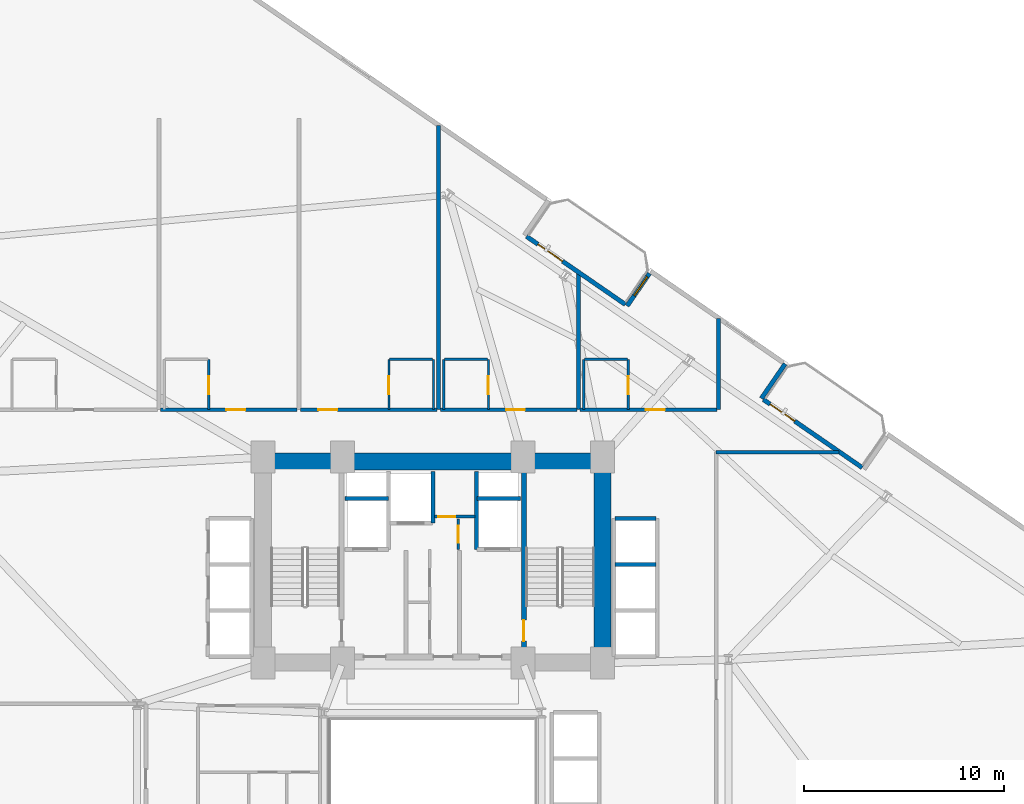
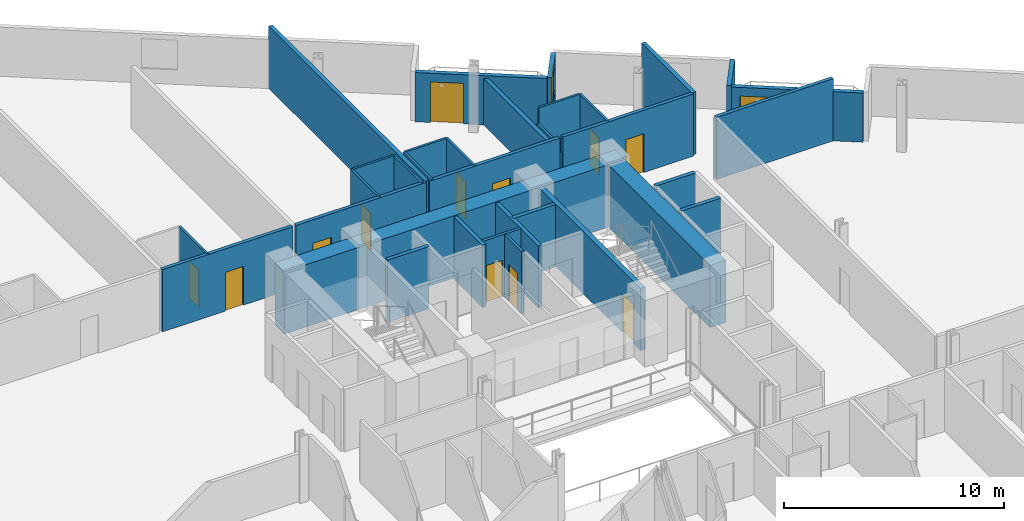
# One storey, part 22 of 27: 33 walls, 13 doors, 1 window, 14 openings.
"""IFC4 building model written with IfcOpenShell, lengths in metres."""

from ifc_helpers import new_model, si_unit, direction, frame, frame_2d, origin, place, context, subcontext, project, spatial, rectangle, extrude, material, layer, layer_set, type_object, element, fill, save


model = new_model("IFC4")

# Units and contexts
model_context = context("Model", 3, precision=1e-05, world=origin(), true_north=direction((0.0, 1.0)))
body_context = subcontext(model_context, "Body", "Model", "MODEL_VIEW")
ifc_project = project(units=[si_unit("LENGTHUNIT", "METRE"), si_unit("AREAUNIT", "SQUARE_METRE"), si_unit("VOLUMEUNIT", "CUBIC_METRE"), si_unit("PLANEANGLEUNIT", "RADIAN"), si_unit("MASSUNIT", "GRAM", prefix="KILO")], contexts=[model_context])

# Site, building, storey
site_placement = place(None, origin())
site = spatial("IfcSite", under=ifc_project, at=site_placement, CompositionType="ELEMENT")
building_placement = place(site_placement, origin())
building = spatial("IfcBuilding", under=site, at=building_placement, Name="Varnelok Gate Tower", CompositionType="ELEMENT")
storey_placement = place(building_placement, frame((0.0, 0.0, 30.699951171875)))
storey = spatial("IfcBuildingStorey", under=building, at=storey_placement, Name="L06", CompositionType="ELEMENT", Elevation=30.699951171875)

# Wall, opening, door
ifc_material_1 = material(Name="Concrete C45/55", Category="concrete")
ifc_layer_1 = layer(ifc_material_1, 0.219970703125)
ifc_layer_set_1 = layer_set([ifc_layer_1], Name="Concrete C45/55")
wall_type_1 = type_object("IfcWallType", Name="EW-BALC-220", PredefinedType="SOLIDWALL", material=ifc_layer_set_1)
wall_1_placement = place(storey_placement, frame((43.898193359375, 50.1015625, 0.0), z_axis=(0.0, 0.0, 1.0), x_axis=(0.823534636215, -0.567265989598, 0.0)))
wall_1 = element("IfcWall", 1, at=wall_1_placement, inside=storey, type_object=wall_type_1, Name="L06 North Terrace Envelope Wall 3", PredefinedType="SOLIDWALL", context=body_context, shape_type="SweptSolid", body=[
    extrude(rectangle(XDim=6.0, YDim=0.219970703125, at=frame_2d((3.0, 0.0))), origin(), (0.0, 0.0, 1.0), 2.72998046875),
])
opening_1_placement = place(wall_1_placement, frame((0.696044921875, 0.0, 0.0)))
opening_1 = element("IfcOpeningElement", 2, at=opening_1_placement, cuts=wall_1, Name="Opening BD-1", PredefinedType="OPENING", context=body_context, shape_type="SweptSolid", body=[
    extrude(rectangle(XDim=1.5, YDim=2.25, at=frame_2d((0.75, 1.125))), frame((0.0, 0.119873046875, 0.0), z_axis=(0.0, -1.0, 0.0), x_axis=(1.0, 0.0, 0.0)), (0.0, 0.0, 1.0), 0.239990234375),
])
ifc_material_2 = material(Name="Anodized Aluminum Alloy 6063-T6", Category="aluminium")
door_type_1 = type_object("IfcDoorType", Name="DR-EXT-BALC1500", OperationType="NOTDEFINED", PredefinedType="DOOR", material=ifc_material_2)
door_1_placement = place(opening_1_placement, origin())
door_1 = element("IfcDoor", 3, at=door_1_placement, inside=storey, type_object=door_type_1, Name="L06 North Balcony Glazed Door 3", OperationType="SINGLE_SWING_RIGHT", OverallHeight=2.25, OverallWidth=1.5, PredefinedType="DOOR", context=body_context, shape_type="SweptSolid", body=[
    extrude(rectangle(XDim=1.5, YDim=2.25, at=frame_2d((0.75, 1.125))), frame((0.0, 0.02490234375, 0.0), z_axis=(0.0, -1.0, 0.0), x_axis=(1.0, 0.0, 0.0)), (0.0, 0.0, 1.0), 0.050048828125),
])
fill(opening_1, door_1)

wall_2_placement = place(storey_placement, frame((55.757080078125, 41.932861328125, 0.0), z_axis=(0.0, 0.0, 1.0), x_axis=(0.823534636215, -0.567265989598, 0.0)))
wall_2 = element("IfcWall", 4, at=wall_2_placement, inside=storey, type_object=wall_type_1, Name="L06 North Terrace Envelope Wall 4", PredefinedType="SOLIDWALL", context=body_context, shape_type="SweptSolid", body=[
    extrude(rectangle(XDim=6.0, YDim=0.219970703125, at=frame_2d((3.0, 0.0))), origin(), (0.0, 0.0, 1.0), 2.72998046875),
])
opening_2_placement = place(wall_2_placement, frame((0.39990234375, 0.0, 0.0)))
opening_2 = element("IfcOpeningElement", 5, at=opening_2_placement, cuts=wall_2, Name="Opening BD-1", PredefinedType="OPENING", context=body_context, shape_type="SweptSolid", body=[
    extrude(rectangle(XDim=1.5, YDim=2.25, at=frame_2d((0.75, 1.125))), frame((0.0, 0.119873046875, 0.0), z_axis=(0.0, -1.0, 0.0), x_axis=(1.0, 0.0, 0.0)), (0.0, 0.0, 1.0), 0.239990234375),
])
door_2_placement = place(opening_2_placement, origin())
door_2 = element("IfcDoor", 6, at=door_2_placement, inside=storey, type_object=door_type_1, Name="L06 North Balcony Glazed Door 4", OperationType="SINGLE_SWING_LEFT", OverallHeight=2.25, OverallWidth=1.5, PredefinedType="DOOR", context=body_context, shape_type="SweptSolid", body=[
    extrude(rectangle(XDim=1.5, YDim=2.25, at=frame_2d((0.75, 1.125))), frame((0.0, 0.02490234375, 0.0), z_axis=(0.0, -1.0, 0.0), x_axis=(1.0, 0.0, 0.0)), (0.0, 0.0, 1.0), 0.050048828125),
])
fill(opening_2, door_2)

# Wall
wall_3_placement = place(storey_placement, frame((55.652587890625, 41.99267578125, 0.0), z_axis=(0.0, 0.0, 1.0), x_axis=(0.567273696173, 0.823529327729, 0.0)))
element("IfcWall", 7, at=wall_3_placement, inside=storey, type_object=wall_type_1, Name="L06 Perimeter Facade Closure Wall 28", PredefinedType="SOLIDWALL", context=body_context, shape_type="SweptSolid", body=[
    extrude(rectangle(XDim=2.099853515625, YDim=0.219970703125, at=frame_2d((1.0498046875, 0.0))), origin(), (0.0, 0.0, 1.0), 2.72998046875),
])

# Wall, opening, window
wall_4_placement = place(storey_placement, frame((50.052978515625, 48.248046875, 0.0), z_axis=(0.0, 0.0, 1.0), x_axis=(-0.567273565974, -0.823529417415, 0.0)))
wall_4 = element("IfcWall", 8, at=wall_4_placement, inside=storey, type_object=wall_type_1, Name="L06 Perimeter Facade Closure Wall 30", PredefinedType="SOLIDWALL", context=body_context, shape_type="SweptSolid", body=[
    extrude(rectangle(XDim=1.97509765625, YDim=0.219970703125, at=frame_2d((0.987548828125, 0.0))), origin(), (0.0, 0.0, 1.0), 2.72998046875),
])
opening_3_placement = place(wall_4_placement, frame((0.199951171875, 0.0, 0.800048828125)))
opening_3 = element("IfcOpeningElement", 9, at=opening_3_placement, cuts=wall_4, Name="Opening WN8", PredefinedType="OPENING", context=body_context, shape_type="SweptSolid", body=[
    extrude(rectangle(XDim=1.14990234375, YDim=1.39990234375, at=frame_2d((0.574951171875, 0.699951171875))), frame((0.0, 0.119873046875, 0.0), z_axis=(0.0, -1.0, 0.0), x_axis=(1.0, 0.0, 0.0)), (0.0, 0.0, 1.0), 0.239990234375),
])
ifc_material_3 = material(Name="Low-E Laminated Double Glazing IGU", Category="glass")
window_type = type_object("IfcWindowType", Name="WN-BED-1150", PartitioningType="SINGLE_PANEL", PredefinedType="WINDOW", material=ifc_material_3)
window_placement = place(opening_3_placement, origin())
window = element("IfcWindow", 10, at=window_placement, inside=storey, type_object=window_type, Name="L06 Bedroom Vision Window 4", OverallHeight=1.39990234375, OverallWidth=1.14990234375, PartitioningType="SINGLE_PANEL", PredefinedType="WINDOW", context=body_context, shape_type="SweptSolid", body=[
    extrude(rectangle(XDim=1.14990234375, YDim=1.39990234375, at=frame_2d((0.574951171875, 0.699951171875))), frame((0.0, 0.030029296875, 0.0), z_axis=(0.0, -1.0, 0.0), x_axis=(1.0, 0.0, 0.0)), (0.0, 0.0, 1.0), 0.06005859375),
])
fill(opening_3, window)

# Wall, opening, door
ifc_material_4 = material(Name="Gypsum Plasterboard Acoustic Partition", Category="gypsum")
ifc_layer_2 = layer(ifc_material_4, 0.179931640625)
ifc_layer_set_2 = layer_set([ifc_layer_2], Name="Gypsum Plasterboard Acoustic Partition")
wall_type_2 = type_object("IfcWallType", Name="PW-CORR-180", PredefinedType="PARTITIONING", material=ifc_layer_set_2)
wall_5_placement = place(storey_placement, frame((25.580078125, 41.429931640625, 0.0), z_axis=(0.0, 0.0, 1.0), x_axis=(1.0, 0.0, 0.0)))
wall_5 = element("IfcWall", 11, at=wall_5_placement, inside=storey, type_object=wall_type_2, Name="Interior Partition", PredefinedType="PARTITIONING", context=body_context, shape_type="SweptSolid", body=[
    extrude(rectangle(XDim=6.83984375, YDim=0.179931640625, at=frame_2d((3.419921875, 0.0))), origin(), (0.0, 0.0, 1.0), 3.449951171875),
])
opening_4_placement = place(wall_5_placement, frame((3.2900390625, 0.0, 0.0)))
opening_4 = element("IfcOpeningElement", 12, at=opening_4_placement, cuts=wall_5, Name="Opening D-HT", PredefinedType="OPENING", context=body_context, shape_type="SweptSolid", body=[
    extrude(rectangle(XDim=0.949951171875, YDim=2.14990234375, at=frame_2d((0.47509765625, 1.074951171875))), frame((0.0, 0.099853515625, 0.0), z_axis=(0.0, -1.0, 0.0), x_axis=(1.0, 0.0, 0.0)), (0.0, 0.0, 1.0), 0.199951171875),
])
ifc_material_5 = material(Name="Engineered Hardwood Timber", Category="wood")
door_type_2 = type_object("IfcDoorType", Name="DR-HTL-950", OperationType="NOTDEFINED", PredefinedType="DOOR", material=ifc_material_5)
door_3_placement = place(opening_4_placement, origin())
door_3 = element("IfcDoor", 13, at=door_3_placement, inside=storey, type_object=door_type_2, Name="L06 Guest Room 14 Entrance Door", OperationType="SINGLE_SWING_LEFT", OverallHeight=2.14990234375, OverallWidth=0.949951171875, PredefinedType="DOOR", context=body_context, shape_type="SweptSolid", body=[
    extrude(rectangle(XDim=0.949951171875, YDim=2.14990234375, at=frame_2d((0.47509765625, 1.074951171875))), frame((0.0, 0.02490234375, 0.0), z_axis=(0.0, -1.0, 0.0), x_axis=(1.0, 0.0, 0.0)), (0.0, 0.0, 1.0), 0.050048828125),
])
fill(opening_4, door_3)

wall_6_placement = place(storey_placement, frame((32.580078125, 41.429931640625, 0.0), z_axis=(0.0, 0.0, 1.0), x_axis=(1.0, 0.0, 0.0)))
wall_6 = element("IfcWall", 14, at=wall_6_placement, inside=storey, type_object=wall_type_2, Name="Interior Partition", PredefinedType="PARTITIONING", context=body_context, shape_type="SweptSolid", body=[
    extrude(rectangle(XDim=6.83984375, YDim=0.179931640625, at=frame_2d((3.419921875, 0.0))), origin(), (0.0, 0.0, 1.0), 3.449951171875),
])
opening_5_placement = place(wall_6_placement, frame((0.89990234375, 0.0, 0.0)))
opening_5 = element("IfcOpeningElement", 15, at=opening_5_placement, cuts=wall_6, Name="Opening D-HT", PredefinedType="OPENING", context=body_context, shape_type="SweptSolid", body=[
    extrude(rectangle(XDim=0.949951171875, YDim=2.14990234375, at=frame_2d((0.47509765625, 1.074951171875))), frame((0.0, 0.099853515625, 0.0), z_axis=(0.0, -1.0, 0.0), x_axis=(1.0, 0.0, 0.0)), (0.0, 0.0, 1.0), 0.199951171875),
])
door_4_placement = place(opening_5_placement, origin())
door_4 = element("IfcDoor", 16, at=door_4_placement, inside=storey, type_object=door_type_2, Name="L06 Guest Room 15 Entrance Door", OperationType="SINGLE_SWING_RIGHT", OverallHeight=2.14990234375, OverallWidth=0.949951171875, PredefinedType="DOOR", context=body_context, shape_type="SweptSolid", body=[
    extrude(rectangle(XDim=0.949951171875, YDim=2.14990234375, at=frame_2d((0.47509765625, 1.074951171875))), frame((0.0, 0.02490234375, 0.0), z_axis=(0.0, -1.0, 0.0), x_axis=(1.0, 0.0, 0.0)), (0.0, 0.0, 1.0), 0.050048828125),
])
fill(opening_5, door_4)

wall_7_placement = place(storey_placement, frame((39.580078125, 41.429931640625, 0.0), z_axis=(0.0, 0.0, 1.0), x_axis=(1.0, 0.0, 0.0)))
wall_7 = element("IfcWall", 17, at=wall_7_placement, inside=storey, type_object=wall_type_2, Name="Interior Partition", PredefinedType="PARTITIONING", context=body_context, shape_type="SweptSolid", body=[
    extrude(rectangle(XDim=6.83984375, YDim=0.179931640625, at=frame_2d((3.419921875, 0.0))), origin(), (0.0, 0.0, 1.0), 3.449951171875),
])
opening_6_placement = place(wall_7_placement, frame((3.2900390625, 0.0, 0.0)))
opening_6 = element("IfcOpeningElement", 18, at=opening_6_placement, cuts=wall_7, Name="Opening D-HT", PredefinedType="OPENING", context=body_context, shape_type="SweptSolid", body=[
    extrude(rectangle(XDim=0.949951171875, YDim=2.14990234375, at=frame_2d((0.47509765625, 1.074951171875))), frame((0.0, 0.099853515625, 0.0), z_axis=(0.0, -1.0, 0.0), x_axis=(1.0, 0.0, 0.0)), (0.0, 0.0, 1.0), 0.199951171875),
])
door_5_placement = place(opening_6_placement, origin())
door_5 = element("IfcDoor", 19, at=door_5_placement, inside=storey, type_object=door_type_2, Name="L06 Guest Room 16 Entrance Door", OperationType="SINGLE_SWING_LEFT", OverallHeight=2.14990234375, OverallWidth=0.949951171875, PredefinedType="DOOR", context=body_context, shape_type="SweptSolid", body=[
    extrude(rectangle(XDim=0.949951171875, YDim=2.14990234375, at=frame_2d((0.47509765625, 1.074951171875))), frame((0.0, 0.02490234375, 0.0), z_axis=(0.0, -1.0, 0.0), x_axis=(1.0, 0.0, 0.0)), (0.0, 0.0, 1.0), 0.050048828125),
])
fill(opening_6, door_5)

wall_8_placement = place(storey_placement, frame((46.580078125, 41.429931640625, 0.0), z_axis=(0.0, 0.0, 1.0), x_axis=(1.0, 0.0, 0.0)))
wall_8 = element("IfcWall", 20, at=wall_8_placement, inside=storey, type_object=wall_type_2, Name="Interior Partition", PredefinedType="PARTITIONING", context=body_context, shape_type="SweptSolid", body=[
    extrude(rectangle(XDim=6.83984375, YDim=0.179931640625, at=frame_2d((3.419921875, 0.0))), origin(), (0.0, 0.0, 1.0), 3.449951171875),
])
opening_7_placement = place(wall_8_placement, frame((3.2900390625, 0.0, 0.0)))
opening_7 = element("IfcOpeningElement", 21, at=opening_7_placement, cuts=wall_8, Name="Opening D-HT", PredefinedType="OPENING", context=body_context, shape_type="SweptSolid", body=[
    extrude(rectangle(XDim=0.949951171875, YDim=2.14990234375, at=frame_2d((0.47509765625, 1.074951171875))), frame((0.0, 0.099853515625, 0.0), z_axis=(0.0, -1.0, 0.0), x_axis=(1.0, 0.0, 0.0)), (0.0, 0.0, 1.0), 0.199951171875),
])
door_6_placement = place(opening_7_placement, origin())
door_6 = element("IfcDoor", 22, at=door_6_placement, inside=storey, type_object=door_type_2, Name="L06 Guest Room 17 Entrance Door", OperationType="SINGLE_SWING_RIGHT", OverallHeight=2.14990234375, OverallWidth=0.949951171875, PredefinedType="DOOR", context=body_context, shape_type="SweptSolid", body=[
    extrude(rectangle(XDim=0.949951171875, YDim=2.14990234375, at=frame_2d((0.47509765625, 1.074951171875))), frame((0.0, 0.02490234375, 0.0), z_axis=(0.0, -1.0, 0.0), x_axis=(1.0, 0.0, 0.0)), (0.0, 0.0, 1.0), 0.050048828125),
])
fill(opening_7, door_6)

# Wall
wall_9_placement = place(storey_placement, frame((53.389892578125, 39.300048828125, 0.0), z_axis=(0.0, 0.0, 1.0), x_axis=(1.0, 0.0, 0.0)))
element("IfcWall", 23, at=wall_9_placement, inside=storey, type_object=wall_type_2, Name="Interior Partition", PredefinedType="PARTITIONING", context=body_context, shape_type="SweptSolid", body=[
    extrude(rectangle(XDim=6.136474609375, YDim=0.179931640625, at=frame_2d((3.068359375, 0.0))), origin(), (0.0, 0.0, 1.0), 3.449951171875),
])

# Wall, opening, door
ifc_layer_3 = layer(ifc_material_4, 0.114990234375)
ifc_layer_set_3 = layer_set([ifc_layer_3], Name="Gypsum Plasterboard Acoustic Partition")
wall_type_3 = type_object("IfcWallType", Name="PW-ENS-125", PredefinedType="PARTITIONING", material=ifc_layer_set_3)
wall_10_placement = place(storey_placement, frame((27.989990234375, 41.429931640625, 0.0), z_axis=(0.0, 0.0, 1.0), x_axis=(0.0, 1.0, 0.0)))
wall_10 = element("IfcWall", 24, at=wall_10_placement, inside=storey, type_object=wall_type_3, Name="Interior Partition", PredefinedType="PARTITIONING", context=body_context, shape_type="SweptSolid", body=[
    extrude(rectangle(XDim=2.52001953125, YDim=0.114990234375, at=frame_2d((1.260009765625, 0.0))), origin(), (0.0, 0.0, 1.0), 3.449951171875),
])
opening_8_placement = place(wall_10_placement, frame((0.760009765625, 0.0, 0.0)))
opening_8 = element("IfcOpeningElement", 25, at=opening_8_placement, cuts=wall_10, Name="Opening D-WC", PredefinedType="OPENING", context=body_context, shape_type="SweptSolid", body=[
    extrude(rectangle(XDim=0.89990234375, YDim=2.050048828125, at=frame_2d((0.449951171875, 1.02490234375))), frame((0.0, 0.0673828125, 0.0), z_axis=(0.0, -1.0, 0.0), x_axis=(1.0, 0.0, 0.0)), (0.0, 0.0, 1.0), 0.135009765625),
])
door_type_3 = type_object("IfcDoorType", Name="DR-BATH-900", OperationType="NOTDEFINED", PredefinedType="DOOR", material=ifc_material_5)
door_7_placement = place(opening_8_placement, origin())
door_7 = element("IfcDoor", 26, at=door_7_placement, inside=storey, type_object=door_type_3, Name="L06 North En-Suite 14 Door", OperationType="SINGLE_SWING_RIGHT", OverallHeight=2.050048828125, OverallWidth=0.89990234375, PredefinedType="DOOR", context=body_context, shape_type="SweptSolid", body=[
    extrude(rectangle(XDim=0.89990234375, YDim=2.050048828125, at=frame_2d((0.449951171875, 1.02490234375))), frame((0.0, 0.02490234375, 0.0), z_axis=(0.0, -1.0, 0.0), x_axis=(1.0, 0.0, 0.0)), (0.0, 0.0, 1.0), 0.050048828125),
])
fill(opening_8, door_7)

# Wall
wall_11_placement = place(storey_placement, frame((37.050048828125, 43.949951171875, 0.0), z_axis=(0.0, 0.0, 1.0), x_axis=(1.0, 0.0, 0.0)))
element("IfcWall", 27, at=wall_11_placement, inside=storey, type_object=wall_type_3, Name="Interior Partition", PredefinedType="PARTITIONING", context=body_context, shape_type="SweptSolid", body=[
    extrude(rectangle(XDim=2.14990234375, YDim=0.114990234375, at=frame_2d((1.074951171875, 0.0))), origin(), (0.0, 0.0, 1.0), 3.449951171875),
])

# Wall, opening, door
wall_12_placement = place(storey_placement, frame((37.010009765625, 41.429931640625, 0.0), z_axis=(0.0, 0.0, 1.0), x_axis=(0.0, 1.0, 0.0)))
wall_12 = element("IfcWall", 28, at=wall_12_placement, inside=storey, type_object=wall_type_3, Name="Interior Partition", PredefinedType="PARTITIONING", context=body_context, shape_type="SweptSolid", body=[
    extrude(rectangle(XDim=2.52001953125, YDim=0.114990234375, at=frame_2d((1.260009765625, 0.0))), origin(), (0.0, 0.0, 1.0), 3.449951171875),
])
opening_9_placement = place(wall_12_placement, frame((0.760009765625, 0.0, 0.0)))
opening_9 = element("IfcOpeningElement", 29, at=opening_9_placement, cuts=wall_12, Name="Opening D-WC", PredefinedType="OPENING", context=body_context, shape_type="SweptSolid", body=[
    extrude(rectangle(XDim=0.89990234375, YDim=2.050048828125, at=frame_2d((0.449951171875, 1.02490234375))), frame((0.0, 0.0673828125, 0.0), z_axis=(0.0, -1.0, 0.0), x_axis=(1.0, 0.0, 0.0)), (0.0, 0.0, 1.0), 0.135009765625),
])
door_8_placement = place(opening_9_placement, origin())
door_8 = element("IfcDoor", 30, at=door_8_placement, inside=storey, type_object=door_type_3, Name="L06 North En-Suite 15 Door", OperationType="SINGLE_SWING_LEFT", OverallHeight=2.050048828125, OverallWidth=0.89990234375, PredefinedType="DOOR", context=body_context, shape_type="SweptSolid", body=[
    extrude(rectangle(XDim=0.89990234375, YDim=2.050048828125, at=frame_2d((0.449951171875, 1.02490234375))), frame((0.0, 0.02490234375, 0.0), z_axis=(0.0, -1.0, 0.0), x_axis=(1.0, 0.0, 0.0)), (0.0, 0.0, 1.0), 0.050048828125),
])
fill(opening_9, door_8)

# Walls
wall_13_placement = place(storey_placement, frame((39.239990234375, 41.429931640625, 0.0), z_axis=(0.0, 0.0, 1.0), x_axis=(0.0, 1.0, 0.0)))
element("IfcWall", 31, at=wall_13_placement, inside=storey, type_object=wall_type_3, Name="Interior Partition", PredefinedType="PARTITIONING", context=body_context, shape_type="SweptSolid", body=[
    extrude(rectangle(XDim=2.52001953125, YDim=0.114990234375, at=frame_2d((1.260009765625, 0.0))), origin(), (0.0, 0.0, 1.0), 3.449951171875),
])
wall_14_placement = place(storey_placement, frame((39.800048828125, 43.949951171875, 0.0), z_axis=(0.0, 0.0, 1.0), x_axis=(1.0, 0.0, 0.0)))
element("IfcWall", 32, at=wall_14_placement, inside=storey, type_object=wall_type_3, Name="Interior Partition", PredefinedType="PARTITIONING", context=body_context, shape_type="SweptSolid", body=[
    extrude(rectangle(XDim=2.14990234375, YDim=0.114990234375, at=frame_2d((1.074951171875, 0.0))), origin(), (0.0, 0.0, 1.0), 3.449951171875),
])

# Wall, opening, door
wall_15_placement = place(storey_placement, frame((41.989990234375, 41.429931640625, 0.0), z_axis=(0.0, 0.0, 1.0), x_axis=(0.0, 1.0, 0.0)))
wall_15 = element("IfcWall", 33, at=wall_15_placement, inside=storey, type_object=wall_type_3, Name="Interior Partition", PredefinedType="PARTITIONING", context=body_context, shape_type="SweptSolid", body=[
    extrude(rectangle(XDim=2.52001953125, YDim=0.114990234375, at=frame_2d((1.260009765625, 0.0))), origin(), (0.0, 0.0, 1.0), 3.449951171875),
])
opening_10_placement = place(wall_15_placement, frame((0.760009765625, 0.0, 0.0)))
opening_10 = element("IfcOpeningElement", 34, at=opening_10_placement, cuts=wall_15, Name="Opening D-WC", PredefinedType="OPENING", context=body_context, shape_type="SweptSolid", body=[
    extrude(rectangle(XDim=0.89990234375, YDim=2.050048828125, at=frame_2d((0.449951171875, 1.02490234375))), frame((0.0, 0.0673828125, 0.0), z_axis=(0.0, -1.0, 0.0), x_axis=(1.0, 0.0, 0.0)), (0.0, 0.0, 1.0), 0.135009765625),
])
door_9_placement = place(opening_10_placement, origin())
door_9 = element("IfcDoor", 35, at=door_9_placement, inside=storey, type_object=door_type_3, Name="L06 North En-Suite 16 Door", OperationType="SINGLE_SWING_RIGHT", OverallHeight=2.050048828125, OverallWidth=0.89990234375, PredefinedType="DOOR", context=body_context, shape_type="SweptSolid", body=[
    extrude(rectangle(XDim=0.89990234375, YDim=2.050048828125, at=frame_2d((0.449951171875, 1.02490234375))), frame((0.0, 0.02490234375, 0.0), z_axis=(0.0, -1.0, 0.0), x_axis=(1.0, 0.0, 0.0)), (0.0, 0.0, 1.0), 0.050048828125),
])
fill(opening_10, door_9)

# Walls
wall_16_placement = place(storey_placement, frame((39.760009765625, 41.429931640625, 0.0), z_axis=(0.0, 0.0, 1.0), x_axis=(0.0, 1.0, 0.0)))
element("IfcWall", 36, at=wall_16_placement, inside=storey, type_object=wall_type_3, Name="Interior Partition", PredefinedType="PARTITIONING", context=body_context, shape_type="SweptSolid", body=[
    extrude(rectangle(XDim=2.52001953125, YDim=0.114990234375, at=frame_2d((1.260009765625, 0.0))), origin(), (0.0, 0.0, 1.0), 3.449951171875),
])
wall_17_placement = place(storey_placement, frame((46.800048828125, 43.949951171875, 0.0), z_axis=(0.0, 0.0, 1.0), x_axis=(1.0, 0.0, 0.0)))
element("IfcWall", 37, at=wall_17_placement, inside=storey, type_object=wall_type_3, Name="Interior Partition", PredefinedType="PARTITIONING", context=body_context, shape_type="SweptSolid", body=[
    extrude(rectangle(XDim=2.14990234375, YDim=0.114990234375, at=frame_2d((1.074951171875, 0.0))), origin(), (0.0, 0.0, 1.0), 3.449951171875),
])

# Wall, opening, door
wall_18_placement = place(storey_placement, frame((48.989990234375, 41.429931640625, 0.0), z_axis=(0.0, 0.0, 1.0), x_axis=(0.0, 1.0, 0.0)))
wall_18 = element("IfcWall", 38, at=wall_18_placement, inside=storey, type_object=wall_type_3, Name="Interior Partition", PredefinedType="PARTITIONING", context=body_context, shape_type="SweptSolid", body=[
    extrude(rectangle(XDim=2.52001953125, YDim=0.114990234375, at=frame_2d((1.260009765625, 0.0))), origin(), (0.0, 0.0, 1.0), 3.449951171875),
])
opening_11_placement = place(wall_18_placement, frame((0.760009765625, 0.0, 0.0)))
opening_11 = element("IfcOpeningElement", 39, at=opening_11_placement, cuts=wall_18, Name="Opening D-WC", PredefinedType="OPENING", context=body_context, shape_type="SweptSolid", body=[
    extrude(rectangle(XDim=0.89990234375, YDim=2.050048828125, at=frame_2d((0.449951171875, 1.02490234375))), frame((0.0, 0.0673828125, 0.0), z_axis=(0.0, -1.0, 0.0), x_axis=(1.0, 0.0, 0.0)), (0.0, 0.0, 1.0), 0.135009765625),
])
door_10_placement = place(opening_11_placement, origin())
door_10 = element("IfcDoor", 40, at=door_10_placement, inside=storey, type_object=door_type_3, Name="L06 North En-Suite 17 Door", OperationType="SINGLE_SWING_RIGHT", OverallHeight=2.050048828125, OverallWidth=0.89990234375, PredefinedType="DOOR", context=body_context, shape_type="SweptSolid", body=[
    extrude(rectangle(XDim=0.89990234375, YDim=2.050048828125, at=frame_2d((0.449951171875, 1.02490234375))), frame((0.0, 0.02490234375, 0.0), z_axis=(0.0, -1.0, 0.0), x_axis=(1.0, 0.0, 0.0)), (0.0, 0.0, 1.0), 0.050048828125),
])
fill(opening_11, door_10)

# Wall
wall_19_placement = place(storey_placement, frame((46.760009765625, 41.429931640625, 0.0), z_axis=(0.0, 0.0, 1.0), x_axis=(0.0, 1.0, 0.0)))
element("IfcWall", 41, at=wall_19_placement, inside=storey, type_object=wall_type_3, Name="Interior Partition", PredefinedType="PARTITIONING", context=body_context, shape_type="SweptSolid", body=[
    extrude(rectangle(XDim=2.52001953125, YDim=0.114990234375, at=frame_2d((1.260009765625, 0.0))), origin(), (0.0, 0.0, 1.0), 2.580078125),
])

# Wall, opening, door
ifc_layer_4 = layer(ifc_material_4, 0.14990234375)
ifc_layer_set_4 = layer_set([ifc_layer_4], Name="Gypsum Plasterboard Acoustic Partition")
wall_type_4 = type_object("IfcWallType", Name="PW-PART-150", PredefinedType="PARTITIONING", material=ifc_layer_set_4)
wall_20_placement = place(storey_placement, frame((39.300048828125, 36.080078125, 0.0), z_axis=(0.0, 0.0, 1.0), x_axis=(1.0, 0.0, 0.0)))
wall_20 = element("IfcWall", 42, at=wall_20_placement, inside=storey, type_object=wall_type_4, Name="L06 Electrical Closet South Wall", PredefinedType="PARTITIONING", context=body_context, shape_type="SweptSolid", body=[
    extrude(rectangle(XDim=2.02001953125, YDim=0.14990234375, at=frame_2d((1.010009765625, 0.0))), origin(), (0.0, 0.0, 1.0), 3.449951171875),
])
opening_12_placement = place(wall_20_placement, frame((0.179931640625, 0.0, 0.0)))
opening_12 = element("IfcOpeningElement", 43, at=opening_12_placement, cuts=wall_20, Name="Opening D-RS", PredefinedType="OPENING", context=body_context, shape_type="SweptSolid", body=[
    extrude(rectangle(XDim=0.85009765625, YDim=2.050048828125, at=frame_2d((0.425048828125, 1.02490234375))), frame((0.0, 0.0849609375, 0.0), z_axis=(0.0, -1.0, 0.0), x_axis=(1.0, 0.0, 0.0)), (0.0, 0.0, 1.0), 0.169921875),
])
ifc_material_6 = material(Name="Galvanized Steel Grade S350GD", Category="steel")
door_type_4 = type_object("IfcDoorType", Name="DR-RISER-850", OperationType="NOTDEFINED", PredefinedType="DOOR", material=ifc_material_6)
door_11_placement = place(opening_12_placement, origin())
door_11 = element("IfcDoor", 44, at=door_11_placement, inside=storey, type_object=door_type_4, Name="L06 Electrical Closet Door", OperationType="SINGLE_SWING_RIGHT", OverallHeight=2.050048828125, OverallWidth=0.85009765625, PredefinedType="DOOR", context=body_context, shape_type="SweptSolid", body=[
    extrude(rectangle(XDim=0.85009765625, YDim=2.050048828125, at=frame_2d((0.425048828125, 1.02490234375))), frame((0.0, 0.02490234375, 0.0), z_axis=(0.0, -1.0, 0.0), x_axis=(1.0, 0.0, 0.0)), (0.0, 0.0, 1.0), 0.050048828125),
])
fill(opening_12, door_11)

wall_21_placement = place(storey_placement, frame((40.47998046875, 34.43994140625, 0.0), z_axis=(0.0, 0.0, 1.0), x_axis=(0.0, 1.0, 0.0)))
wall_21 = element("IfcWall", 45, at=wall_21_placement, inside=storey, type_object=wall_type_4, Name="L06 Telecoms Closet West Wall", PredefinedType="PARTITIONING", context=body_context, shape_type="SweptSolid", body=[
    extrude(rectangle(XDim=1.52001953125, YDim=0.14990234375, at=frame_2d((0.760009765625, 0.0))), origin(), (0.0, 0.0, 1.0), 3.449951171875),
])
opening_13_placement = place(wall_21_placement, frame((0.320068359375, 0.0, 0.0)))
opening_13 = element("IfcOpeningElement", 46, at=opening_13_placement, cuts=wall_21, Name="Opening D-RS", PredefinedType="OPENING", context=body_context, shape_type="SweptSolid", body=[
    extrude(rectangle(XDim=0.85009765625, YDim=2.050048828125, at=frame_2d((0.425048828125, 1.02490234375))), frame((0.0, 0.0849609375, 0.0), z_axis=(0.0, -1.0, 0.0), x_axis=(1.0, 0.0, 0.0)), (0.0, 0.0, 1.0), 0.169921875),
])
door_12_placement = place(opening_13_placement, origin())
door_12 = element("IfcDoor", 47, at=door_12_placement, inside=storey, type_object=door_type_4, Name="L06 Telecoms Closet Door", OperationType="SINGLE_SWING_LEFT", OverallHeight=2.050048828125, OverallWidth=0.85009765625, PredefinedType="DOOR", context=body_context, shape_type="SweptSolid", body=[
    extrude(rectangle(XDim=0.85009765625, YDim=2.050048828125, at=frame_2d((0.425048828125, 1.02490234375))), frame((0.0, 0.02490234375, 0.0), z_axis=(0.0, -1.0, 0.0), x_axis=(1.0, 0.0, 0.0)), (0.0, 0.0, 1.0), 0.050048828125),
])
fill(opening_13, door_12)

# Walls
ifc_layer_5 = layer(ifc_material_4, 0.205078125)
ifc_layer_set_5 = layer_set([ifc_layer_5], Name="Gypsum Plasterboard Acoustic Partition")
wall_type_5 = type_object("IfcWallType", Name="PW-PARTY-200", PredefinedType="PARTITIONING", material=ifc_layer_set_5)
wall_22_placement = place(storey_placement, frame((39.5, 41.429931640625, 0.0), z_axis=(0.0, 0.0, 1.0), x_axis=(0.0, 1.0, 0.0)))
element("IfcWall", 48, at=wall_22_placement, inside=storey, type_object=wall_type_5, Name="L06 North Party Wall 3", PredefinedType="PARTITIONING", context=body_context, shape_type="SweptSolid", body=[
    extrude(rectangle(XDim=14.21484375, YDim=0.205078125, at=frame_2d((7.107421875, 0.0))), origin(), (0.0, 0.0, 1.0), 3.449951171875),
])
wall_23_placement = place(storey_placement, frame((46.5, 41.429931640625, 0.0), z_axis=(0.0, 0.0, 1.0), x_axis=(0.0, 1.0, 0.0)))
element("IfcWall", 49, at=wall_23_placement, inside=storey, type_object=wall_type_5, Name="L06 North Party Wall 4", PredefinedType="PARTITIONING", context=body_context, shape_type="SweptSolid", body=[
    extrude(rectangle(XDim=6.843017578125, YDim=0.205078125, at=frame_2d((3.42138671875, 0.0))), origin(), (0.0, 0.0, 1.0), 2.580078125),
])
wall_24_placement = place(storey_placement, frame((53.5, 41.429931640625, 0.0), z_axis=(0.0, 0.0, 1.0), x_axis=(0.0, 1.0, 0.0)))
element("IfcWall", 50, at=wall_24_placement, inside=storey, type_object=wall_type_5, Name="L06 North Party Wall 5", PredefinedType="PARTITIONING", context=body_context, shape_type="SweptSolid", body=[
    extrude(rectangle(XDim=4.5712890625, YDim=0.205078125, at=frame_2d((2.28564453125, 0.0))), origin(), (0.0, 0.0, 1.0), 3.449951171875),
])
ifc_material_7 = material(Name="Concrete C35/45", Category="concrete")
ifc_layer_6 = layer(ifc_material_7, 0.199951171875)
ifc_layer_set_6 = layer_set([ifc_layer_6], Name="Concrete C35/45")
wall_type_6 = type_object("IfcWallType", Name="PW-SHAFT-200", PredefinedType="PARTITIONING", material=ifc_layer_set_6)
wall_25_placement = place(storey_placement, frame((34.800048828125, 36.97998046875, 0.0), z_axis=(0.0, 0.0, 1.0), x_axis=(1.0, 0.0, 0.0)))
element("IfcWall", 51, at=wall_25_placement, inside=storey, type_object=wall_type_6, Name="L06 FF1 Shaft North Wall", PredefinedType="PARTITIONING", context=body_context, shape_type="SweptSolid", body=[
    extrude(rectangle(XDim=2.179931640625, YDim=0.199951171875, at=frame_2d((1.08984375, 0.0))), origin(), (0.0, 0.0, 1.0), 3.449951171875),
])
wall_26_placement = place(storey_placement, frame((41.419921875, 36.97998046875, 0.0), z_axis=(0.0, 0.0, 1.0), x_axis=(1.0, 0.0, 0.0)))
element("IfcWall", 52, at=wall_26_placement, inside=storey, type_object=wall_type_6, Name="L06 FF2 Shaft North Wall", PredefinedType="PARTITIONING", context=body_context, shape_type="SweptSolid", body=[
    extrude(rectangle(XDim=2.18017578125, YDim=0.199951171875, at=frame_2d((1.090087890625, 0.0))), origin(), (0.0, 0.0, 1.0), 3.449951171875),
])
wall_27_placement = place(storey_placement, frame((41.39990234375, 34.43994140625, 0.0), z_axis=(0.0, 0.0, 1.0), x_axis=(0.0, 1.0, 0.0)))
element("IfcWall", 53, at=wall_27_placement, inside=storey, type_object=wall_type_6, Name="L06 FF2 Shaft Side Wall", PredefinedType="PARTITIONING", context=body_context, shape_type="SweptSolid", body=[
    extrude(rectangle(XDim=3.900146484375, YDim=0.199951171875, at=frame_2d((1.9501953125, 0.0))), origin(), (0.0, 0.0, 1.0), 3.449951171875),
])
wall_28_placement = place(storey_placement, frame((39.219970703125, 35.75, 0.0), z_axis=(0.0, 0.0, 1.0), x_axis=(0.0, 1.0, 0.0)))
element("IfcWall", 54, at=wall_28_placement, inside=storey, type_object=wall_type_6, Name="L06 SV1 Shaft East Wall", PredefinedType="PARTITIONING", context=body_context, shape_type="SweptSolid", body=[
    extrude(rectangle(XDim=2.590087890625, YDim=0.199951171875, at=frame_2d((1.294921875, 0.0))), origin(), (0.0, 0.0, 1.0), 3.449951171875),
])
for number, where, z_axis, x_axis, name in (
    (55, (48.320068359375, 33.675048828125, 0.0), (0.0, 0.0, 1.0), (1.0, 0.0, 0.0), "L06 PM2 Divider"),
    (56, (48.320068359375, 35.969970703125, 0.0), (0.0, 0.0, 1.0), (1.0, 0.0, 0.0), "L06 PM Bank North Wall"),
):
    element("IfcWall", number, at=place(storey_placement, frame(where, z_axis=z_axis, x_axis=x_axis)), inside=storey, type_object=wall_type_6, Name=name, PredefinedType="PARTITIONING", context=body_context, shape_type="SweptSolid", body=[
        extrude(rectangle(XDim=2.059814453125, YDim=0.199951171875, at=frame_2d((1.02978515625, 0.0))), origin(), (0.0, 0.0, 1.0), 3.449951171875),
    ])
ifc_material_8 = material(Name="Concrete C70/85", Category="concrete")
ifc_layer_7 = layer(ifc_material_8, 0.85009765625)
ifc_layer_set_7 = layer_set([ifc_layer_7], Name="Concrete C70/85")
wall_type_7 = type_object("IfcWallType", Name="SW-CORE-850", PredefinedType="SHEAR", material=ifc_layer_set_7)
wall_29_placement = place(storey_placement, frame((30.280029296875, 38.844970703125, 0.0), z_axis=(0.0, 0.0, 1.0), x_axis=(1.0, 0.0, 0.0)))
element("IfcWall", 57, at=wall_29_placement, inside=storey, type_object=wall_type_7, Name="L06 Rear Core North Shear Wall", PredefinedType="SHEAR", context=body_context, shape_type="SweptSolid", body=[
    extrude(rectangle(XDim=17.840087890625, YDim=0.85009765625, at=frame_2d((8.919921875, 0.0))), origin(), (0.0, 0.0, 1.0), 3.449951171875),
])
wall_30_placement = place(storey_placement, frame((47.695068359375, 29.199951171875, 0.0), z_axis=(0.0, 0.0, 1.0), x_axis=(0.0, 1.0, 0.0)))
element("IfcWall", 58, at=wall_30_placement, inside=storey, type_object=wall_type_7, Name="L06 Rear Core East Shear Wall", PredefinedType="SHEAR", context=body_context, shape_type="SweptSolid", body=[
    extrude(rectangle(XDim=9.219970703125, YDim=0.85009765625, at=frame_2d((4.60986328125, 0.0))), origin(), (0.0, 0.0, 1.0), 3.449951171875),
])

# Wall, opening, door
ifc_material_9 = material(Name="Concrete C60/75", Category="concrete")
ifc_layer_8 = layer(ifc_material_9, 0.25)
ifc_layer_set_8 = layer_set([ifc_layer_8], Name="Concrete C60/75")
wall_type_8 = type_object("IfcWallType", Name="SW-SHAFT-250", PredefinedType="SHEAR", material=ifc_layer_set_8)
wall_31_placement = place(storey_placement, frame((43.760009765625, 29.199951171875, 0.0), z_axis=(0.0, 0.0, 1.0), x_axis=(0.0, 1.0, 0.0)))
wall_31 = element("IfcWall", 59, at=wall_31_placement, inside=storey, type_object=wall_type_8, Name="L06 Stair ST-2 West Shear Wall", PredefinedType="SHEAR", context=body_context, shape_type="SweptSolid", body=[
    extrude(rectangle(XDim=9.219970703125, YDim=0.25, at=frame_2d((4.60986328125, 0.0))), origin(), (0.0, 0.0, 1.0), 3.449951171875),
])
opening_14_placement = place(wall_31_placement, frame((0.64990234375, 0.0, 0.0)))
opening_14 = element("IfcOpeningElement", 60, at=opening_14_placement, cuts=wall_31, Name="Opening D-ST", PredefinedType="OPENING", context=body_context, shape_type="SweptSolid", body=[
    extrude(rectangle(XDim=1.050048828125, YDim=2.14990234375, at=frame_2d((0.52490234375, 1.074951171875))), frame((0.0, 0.135009765625, 0.0), z_axis=(0.0, -1.0, 0.0), x_axis=(1.0, 0.0, 0.0)), (0.0, 0.0, 1.0), 0.27001953125),
])
door_type_5 = type_object("IfcDoorType", Name="DR-STAIR-1050", OperationType="NOTDEFINED", PredefinedType="DOOR", material=ifc_material_6)
door_13_placement = place(opening_14_placement, origin())
door_13 = element("IfcDoor", 61, at=door_13_placement, inside=storey, type_object=door_type_5, Name="L06 Exit Stair ST-2 Fire Door", OperationType="SINGLE_SWING_RIGHT", OverallHeight=2.14990234375, OverallWidth=1.050048828125, PredefinedType="DOOR", context=body_context, shape_type="SweptSolid", body=[
    extrude(rectangle(XDim=1.050048828125, YDim=2.14990234375, at=frame_2d((0.52490234375, 1.074951171875))), frame((0.0, 0.02490234375, 0.0), z_axis=(0.0, -1.0, 0.0), x_axis=(1.0, 0.0, 0.0)), (0.0, 0.0, 1.0), 0.050048828125),
])
fill(opening_14, door_13)

save(model, "model.ifc")
